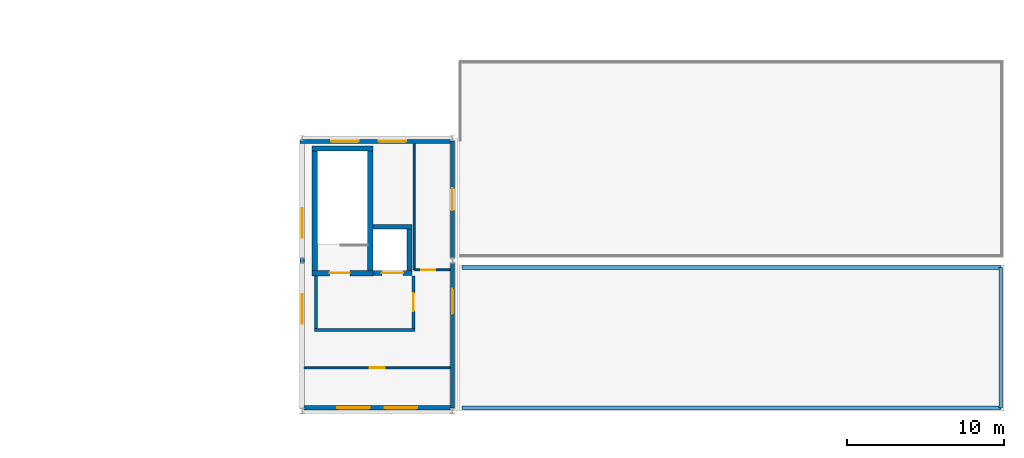
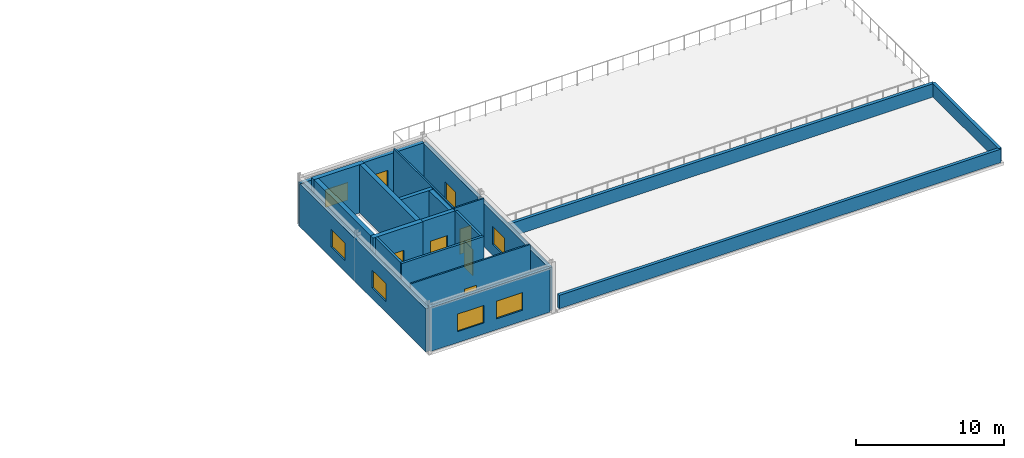
# One storey, part 68 of 76: 21 walls, 7 windows, 6 doors, 13 openings.
"""IFC4 building model written with IfcOpenShell, lengths in metres."""

from ifc_helpers import new_model, si_unit, direction, frame, frame_2d, origin, place, context, subcontext, project, spatial, rectangle, extrude, material, layer, layer_set, type_object, element, fill, save


model = new_model("IFC4")

# Units and contexts
model_context = context("Model", 3, precision=1e-05, world=origin(), true_north=direction((0.0, 1.0)))
body_context = subcontext(model_context, "Body", "Model", "MODEL_VIEW")
ifc_project = project(units=[si_unit("LENGTHUNIT", "METRE"), si_unit("AREAUNIT", "SQUARE_METRE"), si_unit("VOLUMEUNIT", "CUBIC_METRE"), si_unit("PLANEANGLEUNIT", "RADIAN"), si_unit("MASSUNIT", "GRAM", prefix="KILO")], contexts=[model_context])

# Site, building, storey
site_placement = place(None, origin())
site = spatial("IfcSite", under=ifc_project, at=site_placement, CompositionType="ELEMENT")
building_placement = place(site_placement, origin())
building = spatial("IfcBuilding", under=site, at=building_placement, Name="Nordkorset Police Headquarters", CompositionType="ELEMENT")
storey_placement = place(building_placement, frame((0.0, 0.0, 13.64990234375)))
storey = spatial("IfcBuildingStorey", under=building, at=storey_placement, Name="L03", CompositionType="ELEMENT", Elevation=13.64990234375)

# Walls
ifc_material_1 = material(Name="Gypsum board", Category="gypsum")
ifc_layer_1 = layer(ifc_material_1, 0.179931640625, Name="Gypsum board")
ifc_layer_set_1 = layer_set([ifc_layer_1], Name="Gypsum board")
wall_type_1 = type_object("IfcWallType", Name="Wall_Comp_180", PredefinedType="PARTITIONING", material=ifc_layer_set_1)
wall_1_placement = place(storey_placement, frame((127.199951171875, 5.159912109375, 0.0), z_axis=(0.0, 0.0, 1.0), x_axis=(1.0, 0.0, 0.0)))
element("IfcWall", 1, at=wall_1_placement, inside=storey, type_object=wall_type_1, Name="Firefighting Lobby EI 60 Wall K6 L03 S", PredefinedType="PARTITIONING", context=body_context, shape_type="SweptSolid", body=[
    extrude(rectangle(XDim=6.400146484375, YDim=0.179931640625, at=frame_2d((3.2001953125, 0.0))), origin(), (0.0, 0.0, 1.0), 3.97998046875),
])
wall_2_placement = place(storey_placement, frame((127.2900390625, 5.25, 0.0), z_axis=(0.0, 0.0, 1.0), x_axis=(0.0, 1.0, 0.0)))
element("IfcWall", 2, at=wall_2_placement, inside=storey, type_object=wall_type_1, Name="Firefighting Lobby EI 60 Wall K6 L03 W", PredefinedType="PARTITIONING", context=body_context, shape_type="SweptSolid", body=[
    extrude(rectangle(XDim=3.375, YDim=0.179931640625, at=frame_2d((1.6875, 0.0))), origin(), (0.0, 0.0, 1.0), 3.97998046875),
])

# Wall, opening, door
wall_3_placement = place(storey_placement, frame((133.510009765625, 5.25, 0.0), z_axis=(0.0, 0.0, 1.0), x_axis=(0.0, 1.0, 0.0)))
wall_3 = element("IfcWall", 3, at=wall_3_placement, inside=storey, type_object=wall_type_1, Name="Firefighting Lobby EI 60 Wall K6 L03 E", PredefinedType="PARTITIONING", context=body_context, shape_type="SweptSolid", body=[
    extrude(rectangle(XDim=3.375, YDim=0.179931640625, at=frame_2d((1.6875, 0.0))), origin(), (0.0, 0.0, 1.0), 3.97998046875),
])
opening_1_placement = place(wall_3_placement, frame((1.112548828125, 0.0, 0.0)))
opening_1 = element("IfcOpeningElement", 4, at=opening_1_placement, cuts=wall_3, Name="Opening DR-01", PredefinedType="OPENING", context=body_context, shape_type="SweptSolid", body=[
    extrude(rectangle(XDim=1.14990234375, YDim=2.14990234375, at=frame_2d((0.574951171875, 1.074951171875))), frame((0.0, 0.10009765625, 0.0), z_axis=(0.0, -1.0, 0.0), x_axis=(1.0, 0.0, 0.0)), (0.0, 0.0, 1.0), 0.199951171875),
])
ifc_material_2 = material(Name="Steel S355J2", Category="steel")
door_type_1 = type_object("IfcDoorType", Name="Door_LobbySingle_1150x2150", OperationType="NOTDEFINED", PredefinedType="DOOR", material=ifc_material_2)
door_1_placement = place(opening_1_placement, origin())
door_1 = element("IfcDoor", 5, at=door_1_placement, inside=storey, type_object=door_type_1, Name="Firefighting Lobby Smoke Door K6 L03 E", OperationType="SINGLE_SWING_LEFT", OverallHeight=2.14990234375, OverallWidth=1.14990234375, PredefinedType="DOOR", context=body_context, shape_type="SweptSolid", body=[
    extrude(rectangle(XDim=1.14990234375, YDim=2.14990234375, at=frame_2d((0.574951171875, 1.074951171875))), frame((0.0, 0.02490234375, 0.0), z_axis=(0.0, -1.0, 0.0), x_axis=(1.0, 0.0, 0.0)), (0.0, 0.0, 1.0), 0.050048828125),
])
fill(opening_1, door_1)

ifc_material_3 = material(Name="Concrete C35/45", Category="concrete")
ifc_layer_2 = layer(ifc_material_3, 0.35009765625, Name="Concrete C35/45")
ifc_layer_set_2 = layer_set([ifc_layer_2], Name="Concrete C35/45")
wall_type_2 = type_object("IfcWallType", Name="Wall_CoreShear_350", PredefinedType="SHEAR", material=ifc_layer_set_2)
wall_4_placement = place(storey_placement, frame((127.02490234375, 8.800048828125, 0.0), z_axis=(0.0, 0.0, 1.0), x_axis=(1.0, 0.0, 0.0)))
wall_4 = element("IfcWall", 6, at=wall_4_placement, inside=storey, type_object=wall_type_2, Name="Core K6 Stair Shaft South Shear Wall L03", PredefinedType="SHEAR", context=body_context, shape_type="SweptSolid", body=[
    extrude(rectangle(XDim=3.900146484375, YDim=0.35009765625, at=frame_2d((1.9501953125, 0.0))), origin(), (0.0, 0.0, 1.0), 3.97998046875),
])
opening_2_placement = place(wall_4_placement, frame((1.125, 0.0, 0.0)))
opening_2 = element("IfcOpeningElement", 7, at=opening_2_placement, cuts=wall_4, Name="Opening DR-20", PredefinedType="OPENING", context=body_context, shape_type="SweptSolid", body=[
    extrude(rectangle(XDim=1.300048828125, YDim=2.14990234375, at=frame_2d((0.64990234375, 1.074951171875))), frame((0.0, 0.18505859375, 0.0), z_axis=(0.0, -1.0, 0.0), x_axis=(1.0, 0.0, 0.0)), (0.0, 0.0, 1.0), 0.3701171875),
])
ifc_material_4 = material(Name="Steel S355J2", Category="steel")
door_type_2 = type_object("IfcDoorType", Name="Door_Stair_1300x2150", OperationType="NOTDEFINED", PredefinedType="DOOR", material=ifc_material_4)
door_2_placement = place(opening_2_placement, frame((1.300048828125, 0.0, 0.0), z_axis=(0.0, 0.0, 1.0), x_axis=(-1.0, 0.0, 0.0)))
door_2 = element("IfcDoor", 8, at=door_2_placement, inside=storey, type_object=door_type_2, Name="Protected Stair Fire Door ST-06 L03", OperationType="SINGLE_SWING_RIGHT", OverallHeight=2.14990234375, OverallWidth=1.300048828125, PredefinedType="DOOR", context=body_context, shape_type="SweptSolid", body=[
    extrude(rectangle(XDim=1.300048828125, YDim=2.14990234375, at=frame_2d((0.64990234375, 1.074951171875))), frame((0.0, 0.02490234375, 0.0), z_axis=(0.0, -1.0, 0.0), x_axis=(1.0, 0.0, 0.0)), (0.0, 0.0, 1.0), 0.050048828125),
])
fill(opening_2, door_2)

# Walls
wall_5_placement = place(storey_placement, frame((127.02490234375, 16.75, 0.0), z_axis=(0.0, 0.0, 1.0), x_axis=(1.0, 0.0, 0.0)))
element("IfcWall", 9, at=wall_5_placement, inside=storey, type_object=wall_type_2, Name="Core K6 Stair Shaft North Shear Wall L03", PredefinedType="SHEAR", context=body_context, shape_type="SweptSolid", body=[
    extrude(rectangle(XDim=3.900146484375, YDim=0.35009765625, at=frame_2d((1.9501953125, 0.0))), origin(), (0.0, 0.0, 1.0), 3.97998046875),
])
for number, where, z_axis, x_axis, name in (
    (10, (127.199951171875, 8.97509765625, 0.0), (0.0, 0.0, 1.0), (0.0, 1.0, 0.0), "Core K6 Stair Shaft West Shear Wall L03"),
    (11, (130.75, 8.97509765625, 0.0), (0.0, 0.0, 1.0), (0.0, 1.0, 0.0), "Core K6 Stair Shaft East Shear Wall L03"),
):
    element("IfcWall", number, at=place(storey_placement, frame(where, z_axis=z_axis, x_axis=x_axis)), inside=storey, type_object=wall_type_2, Name=name, PredefinedType="SHEAR", context=body_context, shape_type="SweptSolid", body=[
        extrude(rectangle(XDim=7.599853515625, YDim=0.35009765625, at=frame_2d((3.7998046875, 0.0))), origin(), (0.0, 0.0, 1.0), 3.97998046875),
    ])

# Wall, opening, door
ifc_material_5 = material(Name="Precast concrete C40/50", Category="concrete")
ifc_layer_3 = layer(ifc_material_5, 0.280029296875, Name="Precast concrete C40/50")
ifc_layer_set_3 = layer_set([ifc_layer_3], Name="Precast concrete C40/50")
wall_type_3 = type_object("IfcWallType", Name="Wall_ExtSpandrel_280", PredefinedType="SOLIDWALL", material=ifc_layer_set_3)
wall_6_placement = place(storey_placement, frame((136.0, 9.77197265625, 0.0), z_axis=(0.0, 0.0, 1.0), x_axis=(0.0, 1.0, 0.0)))
wall_6 = element("IfcWall", 12, at=wall_6_placement, inside=storey, type_object=wall_type_3, Name="Exterior Insulated Precast Wall L03 V6L03-TER", PredefinedType="SOLIDWALL", context=body_context, shape_type="SweptSolid", body=[
    extrude(rectangle(XDim=7.4560546875, YDim=0.280029296875, at=frame_2d((3.72802734375, 0.0))), origin(), (0.0, 0.0, 1.0), 3.55517578125),
])
opening_3_placement = place(wall_6_placement, frame((3.028076171875, 0.0, 0.0)))
opening_3 = element("IfcOpeningElement", 13, at=opening_3_placement, cuts=wall_6, Name="Opening TD-01", PredefinedType="OPENING", context=body_context, shape_type="SweptSolid", body=[
    extrude(rectangle(XDim=1.39990234375, YDim=2.14990234375, at=frame_2d((0.699951171875, 1.074951171875))), frame((0.0, 0.14990234375, 0.0), z_axis=(0.0, -1.0, 0.0), x_axis=(1.0, 0.0, 0.0)), (0.0, 0.0, 1.0), 0.300048828125),
])
ifc_material_6 = material(Name="Aluminium alloy AW-6060", Category="aluminium")
door_type_3 = type_object("IfcDoorType", Name="ExtDoor_Terrace_1400x2150", OperationType="DOUBLE_DOOR_SINGLE_SWING", PredefinedType="DOOR", material=ifc_material_6)
door_3_placement = place(opening_3_placement, frame((1.39990234375, 0.0, 0.0), z_axis=(0.0, 0.0, 1.0), x_axis=(-1.0, 0.0, 0.0)))
door_3 = element("IfcDoor", 14, at=door_3_placement, inside=storey, type_object=door_type_3, Name="Custody Roof Garden Terrace Access Door TD-01", OperationType="SINGLE_SWING_LEFT", OverallHeight=2.14990234375, OverallWidth=1.39990234375, PredefinedType="DOOR", context=body_context, shape_type="SweptSolid", body=[
    extrude(rectangle(XDim=1.39990234375, YDim=2.14990234375, at=frame_2d((0.699951171875, 1.074951171875))), frame((0.0, 0.02490234375, 0.0), z_axis=(0.0, -1.0, 0.0), x_axis=(1.0, 0.0, 0.0)), (0.0, 0.0, 1.0), 0.050048828125),
])
fill(opening_3, door_3)

# Wall, opening, window
wall_7_placement = place(storey_placement, frame((136.0, 0.172119140625, 0.0), z_axis=(0.0, 0.0, 1.0), x_axis=(0.0, 1.0, 0.0)))
wall_7 = element("IfcWall", 15, at=wall_7_placement, inside=storey, type_object=wall_type_3, Name="Exterior Insulated Precast Wall L03 V6L03-SE", PredefinedType="SOLIDWALL", context=body_context, shape_type="SweptSolid", body=[
    extrude(rectangle(XDim=9.255859375, YDim=0.280029296875, at=frame_2d((4.6279296875, 0.0))), origin(), (0.0, 0.0, 1.0), 3.55517578125),
])
opening_4_placement = place(wall_7_placement, frame((6.028076171875, 0.0, 0.89990234375)))
opening_4 = element("IfcOpeningElement", 16, at=opening_4_placement, cuts=wall_7, Name="Opening WN-37", PredefinedType="OPENING", context=body_context, shape_type="SweptSolid", body=[
    extrude(rectangle(XDim=1.60009765625, YDim=1.449951171875, at=frame_2d((0.800048828125, 0.72509765625))), frame((0.0, 0.14990234375, 0.0), z_axis=(0.0, -1.0, 0.0), x_axis=(1.0, 0.0, 0.0)), (0.0, 0.0, 1.0), 0.300048828125),
])
ifc_material_7 = material(Name="Low-iron triple glazing", Category="glass")
window_type_1 = type_object("IfcWindowType", Name="Win_1600x1450", PartitioningType="SINGLE_PANEL", PredefinedType="WINDOW", material=ifc_material_7)
window_1_placement = place(opening_4_placement, origin())
window_1 = element("IfcWindow", 17, at=window_1_placement, inside=storey, type_object=window_type_1, Name="Triple-Glazed Exterior Window L03 V6L03-SE-1", OverallHeight=1.449951171875, OverallWidth=1.60009765625, PartitioningType="SINGLE_PANEL", PredefinedType="WINDOW", context=body_context, shape_type="SweptSolid", body=[
    extrude(rectangle(XDim=1.60009765625, YDim=1.449951171875, at=frame_2d((0.800048828125, 0.72509765625))), frame((0.0, 0.030029296875, 0.0), z_axis=(0.0, -1.0, 0.0), x_axis=(1.0, 0.0, 0.0)), (0.0, 0.0, 1.0), 0.06005859375),
])
fill(opening_4, window_1)

# Wall, openings, windows
wall_8_placement = place(storey_placement, frame((126.260009765625, 17.199951171875, 0.0), z_axis=(0.0, 0.0, 1.0), x_axis=(1.0, 0.0, 0.0)))
wall_8 = element("IfcWall", 18, at=wall_8_placement, inside=storey, type_object=wall_type_3, Name="Exterior Insulated Precast Wall L03 V6L03-N", PredefinedType="SOLIDWALL", context=body_context, shape_type="SweptSolid", body=[
    extrude(rectangle(XDim=9.60400390625, YDim=0.280029296875, at=frame_2d((4.802001953125, 0.0))), origin(), (0.0, 0.0, 1.0), 3.635009765625),
])
opening_5_placement = place(wall_8_placement, frame((1.998291015625, 0.0, 0.89990234375)))
opening_5 = element("IfcOpeningElement", 19, at=opening_5_placement, cuts=wall_8, Name="Opening WN-39", PredefinedType="OPENING", context=body_context, shape_type="SweptSolid", body=[
    extrude(rectangle(XDim=1.75, YDim=1.449951171875, at=frame_2d((0.875, 0.72509765625))), frame((0.0, 0.14990234375, 0.0), z_axis=(0.0, -1.0, 0.0), x_axis=(1.0, 0.0, 0.0)), (0.0, 0.0, 1.0), 0.300048828125),
])
opening_6_placement = place(wall_8_placement, frame((5.03173828125, 0.0, 0.89990234375)))
opening_6 = element("IfcOpeningElement", 20, at=opening_6_placement, cuts=wall_8, Name="Opening WN-39", PredefinedType="OPENING", context=body_context, shape_type="SweptSolid", body=[
    extrude(rectangle(XDim=1.75, YDim=1.449951171875, at=frame_2d((0.875, 0.72509765625))), frame((0.0, 0.14990234375, 0.0), z_axis=(0.0, -1.0, 0.0), x_axis=(1.0, 0.0, 0.0)), (0.0, 0.0, 1.0), 0.300048828125),
])
ifc_material_8 = material(Name="Low-iron triple glazing", Category="glass")
window_type_2 = type_object("IfcWindowType", Name="Win_1750x1450", PartitioningType="SINGLE_PANEL", PredefinedType="WINDOW", material=ifc_material_8)
window_2_placement = place(opening_5_placement, origin())
window_2 = element("IfcWindow", 21, at=window_2_placement, inside=storey, type_object=window_type_2, Name="Triple-Glazed Exterior Window L03 V6L03-N-1", OverallHeight=1.449951171875, OverallWidth=1.75, PartitioningType="SINGLE_PANEL", PredefinedType="WINDOW", context=body_context, shape_type="SweptSolid", body=[
    extrude(rectangle(XDim=1.75, YDim=1.449951171875, at=frame_2d((0.875, 0.72509765625))), frame((0.0, 0.030029296875, 0.0), z_axis=(0.0, -1.0, 0.0), x_axis=(1.0, 0.0, 0.0)), (0.0, 0.0, 1.0), 0.06005859375),
])
fill(opening_5, window_2)
window_3_placement = place(opening_6_placement, origin())
window_3 = element("IfcWindow", 22, at=window_3_placement, inside=storey, type_object=window_type_2, Name="Triple-Glazed Exterior Window L03 V6L03-N-2", OverallHeight=1.449951171875, OverallWidth=1.75, PartitioningType="SINGLE_PANEL", PredefinedType="WINDOW", context=body_context, shape_type="SweptSolid", body=[
    extrude(rectangle(XDim=1.75, YDim=1.449951171875, at=frame_2d((0.875, 0.72509765625))), frame((0.0, 0.030029296875, 0.0), z_axis=(0.0, -1.0, 0.0), x_axis=(1.0, 0.0, 0.0)), (0.0, 0.0, 1.0), 0.06005859375),
])
fill(opening_6, window_3)

wall_9_placement = place(storey_placement, frame((126.39990234375, 0.172119140625, 0.0), z_axis=(0.0, 0.0, 1.0), x_axis=(0.0, 1.0, 0.0)))
wall_9 = element("IfcWall", 23, at=wall_9_placement, inside=storey, type_object=wall_type_3, Name="Exterior Insulated Precast Wall L03 V6L03-W", PredefinedType="SOLIDWALL", context=body_context, shape_type="SweptSolid", body=[
    extrude(rectangle(XDim=17.055908203125, YDim=0.280029296875, at=frame_2d((8.52783203125, 0.0))), origin(), (0.0, 0.0, 1.0), 3.55517578125),
])
opening_7_placement = place(wall_9_placement, frame((5.3779296875, 0.0, 0.89990234375)))
opening_7 = element("IfcOpeningElement", 24, at=opening_7_placement, cuts=wall_9, Name="Opening WN-15", PredefinedType="OPENING", context=body_context, shape_type="SweptSolid", body=[
    extrude(rectangle(XDim=1.89990234375, YDim=1.449951171875, at=frame_2d((0.949951171875, 0.72509765625))), frame((0.0, 0.14990234375, 0.0), z_axis=(0.0, -1.0, 0.0), x_axis=(1.0, 0.0, 0.0)), (0.0, 0.0, 1.0), 0.300048828125),
])
opening_8_placement = place(wall_9_placement, frame((10.8779296875, 0.0, 0.89990234375)))
opening_8 = element("IfcOpeningElement", 25, at=opening_8_placement, cuts=wall_9, Name="Opening WN-15", PredefinedType="OPENING", context=body_context, shape_type="SweptSolid", body=[
    extrude(rectangle(XDim=1.89990234375, YDim=1.449951171875, at=frame_2d((0.949951171875, 0.72509765625))), frame((0.0, 0.14990234375, 0.0), z_axis=(0.0, -1.0, 0.0), x_axis=(1.0, 0.0, 0.0)), (0.0, 0.0, 1.0), 0.300048828125),
])
ifc_material_9 = material(Name="Low-iron triple glazing", Category="glass")
window_type_3 = type_object("IfcWindowType", Name="Win_1900x1450", PartitioningType="SINGLE_PANEL", PredefinedType="WINDOW", material=ifc_material_9)
window_4_placement = place(opening_7_placement, origin())
window_4 = element("IfcWindow", 26, at=window_4_placement, inside=storey, type_object=window_type_3, Name="Triple-Glazed Exterior Window L03 V6L03-W-1", OverallHeight=1.449951171875, OverallWidth=1.89990234375, PartitioningType="SINGLE_PANEL", PredefinedType="WINDOW", context=body_context, shape_type="SweptSolid", body=[
    extrude(rectangle(XDim=1.89990234375, YDim=1.449951171875, at=frame_2d((0.949951171875, 0.72509765625))), frame((0.0, 0.030029296875, 0.0), z_axis=(0.0, -1.0, 0.0), x_axis=(1.0, 0.0, 0.0)), (0.0, 0.0, 1.0), 0.06005859375),
])
fill(opening_7, window_4)
window_5_placement = place(opening_8_placement, origin())
window_5 = element("IfcWindow", 27, at=window_5_placement, inside=storey, type_object=window_type_3, Name="Triple-Glazed Exterior Window L03 V6L03-W-2", OverallHeight=1.449951171875, OverallWidth=1.89990234375, PartitioningType="SINGLE_PANEL", PredefinedType="WINDOW", context=body_context, shape_type="SweptSolid", body=[
    extrude(rectangle(XDim=1.89990234375, YDim=1.449951171875, at=frame_2d((0.949951171875, 0.72509765625))), frame((0.0, 0.030029296875, 0.0), z_axis=(0.0, -1.0, 0.0), x_axis=(1.0, 0.0, 0.0)), (0.0, 0.0, 1.0), 0.06005859375),
])
fill(opening_8, window_5)

wall_10_placement = place(storey_placement, frame((126.535888671875, 0.199951171875, 0.0), z_axis=(0.0, 0.0, 1.0), x_axis=(1.0, 0.0, 0.0)))
wall_10 = element("IfcWall", 28, at=wall_10_placement, inside=storey, type_object=wall_type_3, Name="Exterior Insulated Precast Wall L03 V6L03-S", PredefinedType="SOLIDWALL", context=body_context, shape_type="SweptSolid", body=[
    extrude(rectangle(XDim=9.328125, YDim=0.280029296875, at=frame_2d((4.6640625, 0.0))), origin(), (0.0, 0.0, 1.0), 3.635009765625),
])
opening_9_placement = place(wall_10_placement, frame((2.122314453125, 0.0, 0.89990234375)))
opening_9 = element("IfcOpeningElement", 29, at=opening_9_placement, cuts=wall_10, Name="Opening WN-04", PredefinedType="OPENING", context=body_context, shape_type="SweptSolid", body=[
    extrude(rectangle(XDim=2.050048828125, YDim=1.449951171875, at=frame_2d((1.02490234375, 0.72509765625))), frame((0.0, 0.14990234375, 0.0), z_axis=(0.0, -1.0, 0.0), x_axis=(1.0, 0.0, 0.0)), (0.0, 0.0, 1.0), 0.300048828125),
])
opening_10_placement = place(wall_10_placement, frame((5.15576171875, 0.0, 0.89990234375)))
opening_10 = element("IfcOpeningElement", 30, at=opening_10_placement, cuts=wall_10, Name="Opening WN-04", PredefinedType="OPENING", context=body_context, shape_type="SweptSolid", body=[
    extrude(rectangle(XDim=2.050048828125, YDim=1.449951171875, at=frame_2d((1.02490234375, 0.72509765625))), frame((0.0, 0.14990234375, 0.0), z_axis=(0.0, -1.0, 0.0), x_axis=(1.0, 0.0, 0.0)), (0.0, 0.0, 1.0), 0.300048828125),
])
ifc_material_10 = material(Name="Low-iron triple glazing", Category="glass")
window_type_4 = type_object("IfcWindowType", Name="Win_2050x1450", PartitioningType="SINGLE_PANEL", PredefinedType="WINDOW", material=ifc_material_10)
window_6_placement = place(opening_9_placement, origin())
window_6 = element("IfcWindow", 31, at=window_6_placement, inside=storey, type_object=window_type_4, Name="Triple-Glazed Exterior Window L03 V6L03-S-1", OverallHeight=1.449951171875, OverallWidth=2.050048828125, PartitioningType="SINGLE_PANEL", PredefinedType="WINDOW", context=body_context, shape_type="SweptSolid", body=[
    extrude(rectangle(XDim=2.050048828125, YDim=1.449951171875, at=frame_2d((1.02490234375, 0.72509765625))), frame((0.0, 0.030029296875, 0.0), z_axis=(0.0, -1.0, 0.0), x_axis=(1.0, 0.0, 0.0)), (0.0, 0.0, 1.0), 0.06005859375),
])
fill(opening_9, window_6)
window_7_placement = place(opening_10_placement, origin())
window_7 = element("IfcWindow", 32, at=window_7_placement, inside=storey, type_object=window_type_4, Name="Triple-Glazed Exterior Window L03 V6L03-S-2", OverallHeight=1.449951171875, OverallWidth=2.050048828125, PartitioningType="SINGLE_PANEL", PredefinedType="WINDOW", context=body_context, shape_type="SweptSolid", body=[
    extrude(rectangle(XDim=2.050048828125, YDim=1.449951171875, at=frame_2d((1.02490234375, 0.72509765625))), frame((0.0, 0.030029296875, 0.0), z_axis=(0.0, -1.0, 0.0), x_axis=(1.0, 0.0, 0.0)), (0.0, 0.0, 1.0), 0.06005859375),
])
fill(opening_10, window_7)

# Walls
ifc_material_11 = material(Name="Precast concrete C40/50", Category="concrete")
ifc_layer_4 = layer(ifc_material_11, 0.239990234375, Name="Precast concrete C40/50")
ifc_layer_set_4 = layer_set([ifc_layer_4], Name="Precast concrete C40/50")
wall_type_4 = type_object("IfcWallType", Name="Wall_Parapet_240", PredefinedType="PARAPET", material=ifc_layer_set_4)
wall_11_placement = place(storey_placement, frame((136.60009765625, 0.199951171875, 0.0), z_axis=(0.0, 0.0, 1.0), x_axis=(1.0, 0.0, 0.0)))
element("IfcWall", 33, at=wall_11_placement, inside=storey, type_object=wall_type_4, Name="Flat Roof Parapet Wall V6FLAT-L03-1", PredefinedType="PARAPET", context=body_context, shape_type="SweptSolid", body=[
    extrude(rectangle(XDim=34.39990234375, YDim=0.239990234375, at=frame_2d((17.199951171875, 0.0))), origin(), (0.0, 0.0, 1.0), 1.10009765625),
])
wall_12_placement = place(storey_placement, frame((171.0, 0.199951171875, 0.0), z_axis=(0.0, 0.0, 1.0), x_axis=(0.0, 1.0, 0.0)))
element("IfcWall", 34, at=wall_12_placement, inside=storey, type_object=wall_type_4, Name="Flat Roof Parapet Wall V6FLAT-L03-2", PredefinedType="PARAPET", context=body_context, shape_type="SweptSolid", body=[
    extrude(rectangle(XDim=8.949951171875, YDim=0.239990234375, at=frame_2d((4.47509765625, 0.0))), origin(), (0.0, 0.0, 1.0), 1.10009765625),
])
wall_13_placement = place(storey_placement, frame((171.0, 9.14990234375, 0.0), z_axis=(0.0, 0.0, 1.0), x_axis=(-1.0, 0.0, 0.0)))
element("IfcWall", 35, at=wall_13_placement, inside=storey, type_object=wall_type_4, Name="Flat Roof Parapet Wall V6FLAT-L03-3", PredefinedType="PARAPET", context=body_context, shape_type="SweptSolid", body=[
    extrude(rectangle(XDim=34.39990234375, YDim=0.239990234375, at=frame_2d((17.199951171875, 0.0))), origin(), (0.0, 0.0, 1.0), 1.10009765625),
])

# Wall, opening, door
ifc_material_12 = material(Name="Gypsum board", Category="gypsum")
ifc_layer_5 = layer(ifc_material_12, 0.1201171875, Name="Gypsum board")
ifc_layer_set_5 = layer_set([ifc_layer_5], Name="Gypsum board")
wall_type_5 = type_object("IfcWallType", Name="Wall_Part_120", PredefinedType="PARTITIONING", material=ifc_layer_set_5)
wall_14_placement = place(storey_placement, frame((133.550048828125, 9.0, 0.0), z_axis=(0.0, 0.0, 1.0), x_axis=(1.0, 0.0, 0.0)))
wall_14 = element("IfcWall", 36, at=wall_14_placement, inside=storey, type_object=wall_type_5, Name="Interior Partition Wall East Terrace Staff Dayroom", PredefinedType="PARTITIONING", context=body_context, shape_type="SweptSolid", body=[
    extrude(rectangle(XDim=2.300048828125, YDim=0.1201171875, at=frame_2d((1.14990234375, 0.0))), origin(), (0.0, 0.0, 1.0), 3.97998046875),
])
opening_11_placement = place(wall_14_placement, frame((0.43994140625, 0.0, 0.0)))
opening_11 = element("IfcOpeningElement", 37, at=opening_11_placement, cuts=wall_14, Name="Opening DR-21", PredefinedType="OPENING", context=body_context, shape_type="SweptSolid", body=[
    extrude(rectangle(XDim=0.919921875, YDim=2.080078125, at=frame_2d((0.4599609375, 1.0400390625))), frame((0.0, 0.070068359375, 0.0), z_axis=(0.0, -1.0, 0.0), x_axis=(1.0, 0.0, 0.0)), (0.0, 0.0, 1.0), 0.14013671875),
])
ifc_material_13 = material(Name="Glulam GL30c", Category="wood")
door_type_4 = type_object("IfcDoorType", Name="Door_WCStaff_920x2080", OperationType="NOTDEFINED", PredefinedType="DOOR", material=ifc_material_13)
door_4_placement = place(opening_11_placement, frame((0.919921875, 0.0, 0.0), z_axis=(0.0, 0.0, 1.0), x_axis=(-1.0, 0.0, 0.0)))
door_4 = element("IfcDoor", 38, at=door_4_placement, inside=storey, type_object=door_type_4, Name="Interior Door East Terrace Staff Dayroom", OperationType="SINGLE_SWING_RIGHT", OverallHeight=2.080078125, OverallWidth=0.919921875, PredefinedType="DOOR", context=body_context, shape_type="SweptSolid", body=[
    extrude(rectangle(XDim=0.919921875, YDim=2.080078125, at=frame_2d((0.4599609375, 1.0400390625))), frame((0.0, 0.02490234375, 0.0), z_axis=(0.0, -1.0, 0.0), x_axis=(1.0, 0.0, 0.0)), (0.0, 0.0, 1.0), 0.050048828125),
])
fill(opening_11, door_4)

# Wall
wall_15_placement = place(storey_placement, frame((133.550048828125, 17.06494140625, 0.0), z_axis=(0.0, 0.0, 1.0), x_axis=(0.0, -1.0, 0.0)))
element("IfcWall", 39, at=wall_15_placement, inside=storey, type_object=wall_type_5, Name="Interior Partition Wall East Terrace Staff Dayroom", PredefinedType="PARTITIONING", context=body_context, shape_type="SweptSolid", body=[
    extrude(rectangle(XDim=8.06494140625, YDim=0.1201171875, at=frame_2d((4.032470703125, 0.0))), origin(), (0.0, 0.0, 1.0), 3.97998046875),
])

# Wall, opening, door
wall_16_placement = place(storey_placement, frame((135.85009765625, 2.75, 0.0), z_axis=(0.0, 0.0, 1.0), x_axis=(-1.0, 0.0, 0.0)))
wall_16 = element("IfcWall", 40, at=wall_16_placement, inside=storey, type_object=wall_type_5, Name="Interior Partition Wall Roof Terrace Staff Pantry", PredefinedType="PARTITIONING", context=body_context, shape_type="SweptSolid", body=[
    extrude(rectangle(XDim=9.315185546875, YDim=0.1201171875, at=frame_2d((4.65771484375, 0.0))), origin(), (0.0, 0.0, 1.0), 3.97998046875),
])
opening_12_placement = place(wall_16_placement, frame((4.177490234375, 0.0, 0.0)))
opening_12 = element("IfcOpeningElement", 41, at=opening_12_placement, cuts=wall_16, Name="Opening DR-08", PredefinedType="OPENING", context=body_context, shape_type="SweptSolid", body=[
    extrude(rectangle(XDim=0.9599609375, YDim=2.080078125, at=frame_2d((0.47998046875, 1.0400390625))), frame((0.0, 0.070068359375, 0.0), z_axis=(0.0, -1.0, 0.0), x_axis=(1.0, 0.0, 0.0)), (0.0, 0.0, 1.0), 0.14013671875),
])
ifc_material_14 = material(Name="Glulam GL30c", Category="wood")
door_type_5 = type_object("IfcDoorType", Name="Door_Welfare_960x2080", OperationType="NOTDEFINED", PredefinedType="DOOR", material=ifc_material_14)
door_5_placement = place(opening_12_placement, origin())
door_5 = element("IfcDoor", 42, at=door_5_placement, inside=storey, type_object=door_type_5, Name="Interior Door Roof Terrace Staff Pantry", OperationType="SINGLE_SWING_LEFT", OverallHeight=2.080078125, OverallWidth=0.9599609375, PredefinedType="DOOR", context=body_context, shape_type="SweptSolid", body=[
    extrude(rectangle(XDim=0.9599609375, YDim=2.080078125, at=frame_2d((0.47998046875, 1.0400390625))), frame((0.0, 0.02490234375, 0.0), z_axis=(0.0, -1.0, 0.0), x_axis=(1.0, 0.0, 0.0)), (0.0, 0.0, 1.0), 0.050048828125),
])
fill(opening_12, door_5)

ifc_material_15 = material(Name="Concrete C35/45", Category="concrete")
ifc_layer_6 = layer(ifc_material_15, 0.300048828125, Name="Concrete C35/45")
ifc_layer_set_6 = layer_set([ifc_layer_6], Name="Concrete C35/45")
wall_type_6 = type_object("IfcWallType", Name="Wall_ShaftShear_300", PredefinedType="SHEAR", material=ifc_layer_set_6)
wall_17_placement = place(storey_placement, frame((130.925048828125, 8.800048828125, 0.0), z_axis=(0.0, 0.0, 1.0), x_axis=(1.0, 0.0, 0.0)))
wall_17 = element("IfcWall", 43, at=wall_17_placement, inside=storey, type_object=wall_type_6, Name="Lift Shaft LF-08 Front Shear Wall L03", PredefinedType="SHEAR", context=body_context, shape_type="SweptSolid", body=[
    extrude(rectangle(XDim=2.5, YDim=0.300048828125, at=frame_2d((1.25, 0.0))), origin(), (0.0, 0.0, 1.0), 3.97998046875),
])
opening_13_placement = place(wall_17_placement, frame((0.574951171875, 0.0, 0.0)))
opening_13 = element("IfcOpeningElement", 44, at=opening_13_placement, cuts=wall_17, Name="Opening LD-08", PredefinedType="OPENING", context=body_context, shape_type="SweptSolid", body=[
    extrude(rectangle(XDim=1.35009765625, YDim=2.14990234375, at=frame_2d((0.675048828125, 1.074951171875))), frame((0.0, 0.16015625, 0.0), z_axis=(0.0, -1.0, 0.0), x_axis=(1.0, 0.0, 0.0)), (0.0, 0.0, 1.0), 0.320068359375),
])
ifc_material_16 = material(Name="Steel S355J2", Category="steel")
door_type_6 = type_object("IfcDoorType", Name="Door_LiftGoods_1350x2150", OperationType="SLIDING_TO_RIGHT", PredefinedType="DOOR", material=ifc_material_16)
door_6_placement = place(opening_13_placement, frame((1.35009765625, 0.0, 0.0), z_axis=(0.0, 0.0, 1.0), x_axis=(-1.0, 0.0, 0.0)))
door_6 = element("IfcDoor", 45, at=door_6_placement, inside=storey, type_object=door_type_6, Name="Lift Landing Sliding Door LF-08 L03", OperationType="SLIDING_TO_RIGHT", OverallHeight=2.14990234375, OverallWidth=1.35009765625, PredefinedType="DOOR", context=body_context, shape_type="SweptSolid", body=[
    extrude(rectangle(XDim=1.35009765625, YDim=2.14990234375, at=frame_2d((0.675048828125, 1.074951171875))), frame((0.0, 0.02490234375, 0.0), z_axis=(0.0, -1.0, 0.0), x_axis=(1.0, 0.0, 0.0)), (0.0, 0.0, 1.0), 0.050048828125),
])
fill(opening_13, door_6)

# Walls
wall_18_placement = place(storey_placement, frame((130.925048828125, 11.75, 0.0), z_axis=(0.0, 0.0, 1.0), x_axis=(1.0, 0.0, 0.0)))
element("IfcWall", 46, at=wall_18_placement, inside=storey, type_object=wall_type_6, Name="Lift Shaft LF-08 Rear Shear Wall L03", PredefinedType="SHEAR", context=body_context, shape_type="SweptSolid", body=[
    extrude(rectangle(XDim=2.5, YDim=0.300048828125, at=frame_2d((1.25, 0.0))), origin(), (0.0, 0.0, 1.0), 3.97998046875),
])
wall_19_placement = place(storey_placement, frame((133.25, 8.949951171875, 0.0), z_axis=(0.0, 0.0, 1.0), x_axis=(0.0, 1.0, 0.0)))
element("IfcWall", 47, at=wall_19_placement, inside=storey, type_object=wall_type_6, Name="Lift Shaft LF-08 East Shear Wall L03", PredefinedType="SHEAR", context=body_context, shape_type="SweptSolid", body=[
    extrude(rectangle(XDim=2.650146484375, YDim=0.300048828125, at=frame_2d((1.3251953125, 0.0))), origin(), (0.0, 0.0, 1.0), 3.97998046875),
])

save(model, "model.ifc")
